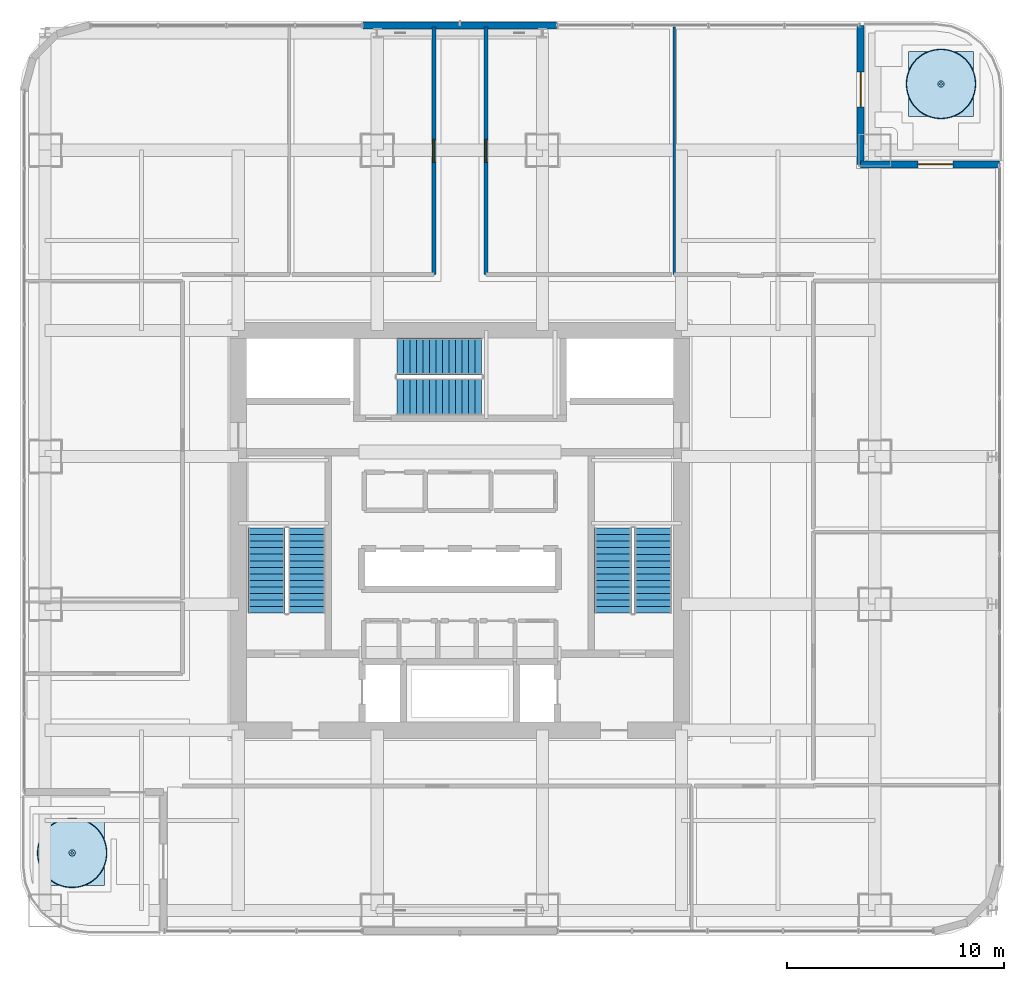
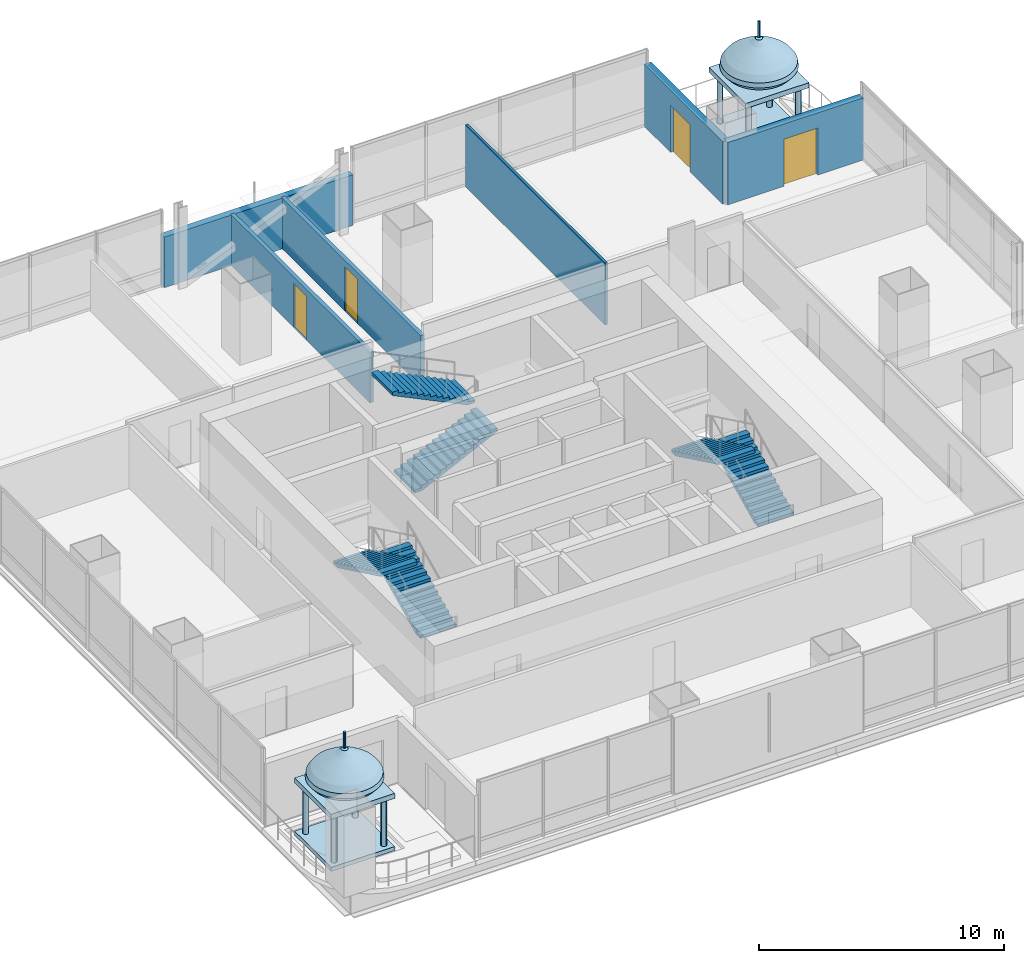
# One storey, part 28 of 37: 6 stair flights, 6 walls, 4 doors, 2 roofs, 4 openings, 3 elements without a shape of their own.
"""IFC4 building model written with IfcOpenShell, lengths in metres."""

from ifc_helpers import new_model, entity, si_unit, direction, frame, frame_2d, origin, origin_2d, place, context, subcontext, project, spatial, polyline, rectangle, circle, outline, extrude, material, layer, layer_set, type_object, element, fill, aggregate, save


model = new_model("IFC4")

# Units and contexts
model_context = context("Model", 3, precision=1e-05, world=origin(), true_north=direction((0.0, 1.0)))
body_context = subcontext(model_context, "Body", "Model", "MODEL_VIEW")
ifc_project = project(units=[si_unit("LENGTHUNIT", "METRE"), si_unit("AREAUNIT", "SQUARE_METRE"), si_unit("VOLUMEUNIT", "CUBIC_METRE"), si_unit("PLANEANGLEUNIT", "RADIAN"), si_unit("MASSUNIT", "GRAM", prefix="KILO")], contexts=[model_context])

# Site, building, storey
site_placement = place(None, origin())
site = spatial("IfcSite", under=ifc_project, at=site_placement, CompositionType="ELEMENT")
building_placement = place(site_placement, origin())
building = spatial("IfcBuilding", under=site, at=building_placement, Name="Punatoya Terracotta Tower", CompositionType="ELEMENT")
storey_placement = place(building_placement, frame((0.0, 0.0, 109.199951171875)))
storey = spatial("IfcBuildingStorey", under=building, at=storey_placement, Name="L25", CompositionType="ELEMENT", Elevation=109.199951171875)

# Wall, opening, door
ifc_material_1 = material(Name="Gypsum Fireboard + Steel Stud", Category="steel")
ifc_layer_1 = layer(ifc_material_1, 0.179931640625)
ifc_layer_set_1 = layer_set([ifc_layer_1], Name="Gypsum Fireboard + Steel Stud")
wall_type_1 = type_object("IfcWallType", Name="WL-CORR-180", PredefinedType="PARTITIONING", material=ifc_layer_set_1)
wall_1_placement = place(storey_placement, frame((-1.199951171875, 23.169921875, 0.0), z_axis=(0.0, 0.0, 1.0), x_axis=(0.0, -1.0, 0.0)))
wall_1 = element("IfcWall", 1, at=wall_1_placement, inside=storey, type_object=wall_type_1, Name="L25 Open-Plan Quantitative Practice Office Partition 41", PredefinedType="PARTITIONING", context=body_context, shape_type="SweptSolid", body=[
    extrude(rectangle(XDim=11.39990234375, YDim=0.179931640625, at=frame_2d((5.699951171875, 0.0))), origin(), (0.0, 0.0, 1.0), 2.524169921875),
])
opening_1_placement = place(wall_1_placement, frame((5.175048828125, 0.0, 0.0)))
opening_1 = element("IfcOpeningElement", 2, at=opening_1_placement, cuts=wall_1, Name="Opening OD-01", PredefinedType="OPENING", context=body_context, shape_type="SweptSolid", body=[
    extrude(rectangle(XDim=1.050048828125, YDim=2.199951171875, at=frame_2d((0.52490234375, 1.10009765625))), frame((0.0, 0.099853515625, 0.0), z_axis=(0.0, -1.0, 0.0), x_axis=(1.0, 0.0, 0.0)), (0.0, 0.0, 1.0), 0.199951171875),
])
ifc_material_2 = material(Name="Bengal Teak Solid-Core Leaf")
door_type_1 = type_object("IfcDoorType", Name="DR-OFF-1050", OperationType="NOTDEFINED", PredefinedType="DOOR", material=ifc_material_2)
door_1_placement = place(opening_1_placement, origin())
door_1 = element("IfcDoor", 3, at=door_1_placement, inside=storey, type_object=door_type_1, Name="L25 Open-Plan Quantitative Practice Office Door", OperationType="SINGLE_SWING_RIGHT", OverallHeight=2.199951171875, OverallWidth=1.050048828125, PredefinedType="DOOR", context=body_context, shape_type="SweptSolid", body=[
    extrude(rectangle(XDim=1.050048828125, YDim=2.199951171875, at=frame_2d((0.52490234375, 1.10009765625))), frame((0.0, 0.02490234375, 0.0), z_axis=(0.0, -1.0, 0.0), x_axis=(1.0, 0.0, 0.0)), (0.0, 0.0, 1.0), 0.050048828125),
])
fill(opening_1, door_1)

wall_2_placement = place(storey_placement, frame((1.199951171875, 11.77001953125, 0.0), z_axis=(0.0, 0.0, 1.0), x_axis=(0.0, 1.0, 0.0)))
wall_2 = element("IfcWall", 4, at=wall_2_placement, inside=storey, type_object=wall_type_1, Name="L25 Open-Plan Regional Operations Office Partition 43", PredefinedType="PARTITIONING", context=body_context, shape_type="SweptSolid", body=[
    extrude(rectangle(XDim=11.39990234375, YDim=0.179931640625, at=frame_2d((5.699951171875, 0.0))), origin(), (0.0, 0.0, 1.0), 2.524169921875),
])
opening_2_placement = place(wall_2_placement, frame((5.175048828125, 0.0, 0.0)))
opening_2 = element("IfcOpeningElement", 5, at=opening_2_placement, cuts=wall_2, Name="Opening OD-01", PredefinedType="OPENING", context=body_context, shape_type="SweptSolid", body=[
    extrude(rectangle(XDim=1.050048828125, YDim=2.199951171875, at=frame_2d((0.52490234375, 1.10009765625))), frame((0.0, 0.099853515625, 0.0), z_axis=(0.0, -1.0, 0.0), x_axis=(1.0, 0.0, 0.0)), (0.0, 0.0, 1.0), 0.199951171875),
])
door_2_placement = place(opening_2_placement, origin())
door_2 = element("IfcDoor", 6, at=door_2_placement, inside=storey, type_object=door_type_1, Name="L25 Open-Plan Regional Operations Office Door", OperationType="SINGLE_SWING_LEFT", OverallHeight=2.199951171875, OverallWidth=1.050048828125, PredefinedType="DOOR", context=body_context, shape_type="SweptSolid", body=[
    extrude(rectangle(XDim=1.050048828125, YDim=2.199951171875, at=frame_2d((0.52490234375, 1.10009765625))), frame((0.0, 0.02490234375, 0.0), z_axis=(0.0, -1.0, 0.0), x_axis=(1.0, 0.0, 0.0)), (0.0, 0.0, 1.0), 0.050048828125),
])
fill(opening_2, door_2)

ifc_material_3 = material(Name="Precast concrete C40/50", Category="concrete")
ifc_layer_2 = layer(ifc_material_3, 0.320068359375)
ifc_layer_set_2 = layer_set([ifc_layer_2], Name="Precast concrete C40/50")
wall_type_2 = type_object("IfcWallType", Name="WL-EXT-320", PredefinedType="SOLIDWALL", material=ifc_layer_set_2)
wall_3_placement = place(storey_placement, frame((24.85009765625, 16.85009765625, 0.0), z_axis=(0.0, 0.0, 1.0), x_axis=(-1.0, 0.0, 0.0)))
wall_3 = element("IfcWall", 7, at=wall_3_placement, inside=storey, type_object=wall_type_2, Name="L25 Recessed Corner-Slot Terracotta Wall 06", PredefinedType="SOLIDWALL", context=body_context, shape_type="SweptSolid", body=[
    extrude(rectangle(XDim=6.400146484375, YDim=0.320068359375, at=frame_2d((3.2001953125, 0.0))), origin(), (0.0, 0.0, 1.0), 3.10400390625),
])
opening_3_placement = place(wall_3_placement, frame((2.14990234375, 0.0, 0.0)))
opening_3 = element("IfcOpeningElement", 8, at=opening_3_placement, cuts=wall_3, Name="Opening TD-01", PredefinedType="OPENING", context=body_context, shape_type="SweptSolid", body=[
    extrude(rectangle(XDim=1.60009765625, YDim=2.35009765625, at=frame_2d((0.800048828125, 1.175048828125))), frame((0.0, 0.169921875, 0.0), z_axis=(0.0, -1.0, 0.0), x_axis=(1.0, 0.0, 0.0)), (0.0, 0.0, 1.0), 0.340087890625),
])
ifc_material_4 = material(Name="Aluminium 6063-T6 + Low-E Glass", Category="aluminium")
door_type_2 = type_object("IfcDoorType", Name="DR-TER-1600", OperationType="NOTDEFINED", PredefinedType="DOOR", material=ifc_material_4)
door_3_placement = place(opening_3_placement, origin())
door_3 = element("IfcDoor", 9, at=door_3_placement, inside=storey, type_object=door_type_2, Name="L25 Corner Sky-Court Terrace Access Door 06", OperationType="SINGLE_SWING_RIGHT", OverallHeight=2.35009765625, OverallWidth=1.60009765625, PredefinedType="DOOR", context=body_context, shape_type="SweptSolid", body=[
    extrude(rectangle(XDim=1.60009765625, YDim=2.35009765625, at=frame_2d((0.800048828125, 1.175048828125))), frame((0.0, 0.02490234375, 0.0), z_axis=(0.0, -1.0, 0.0), x_axis=(1.0, 0.0, 0.0)), (0.0, 0.0, 1.0), 0.050048828125),
])
fill(opening_3, door_3)

wall_4_placement = place(storey_placement, frame((18.449951171875, 16.85009765625, 0.0), z_axis=(0.0, 0.0, 1.0), x_axis=(0.0, 1.0, 0.0)))
wall_4 = element("IfcWall", 10, at=wall_4_placement, inside=storey, type_object=wall_type_2, Name="L25 Recessed Corner-Slot Terracotta Wall 07", PredefinedType="SOLIDWALL", context=body_context, shape_type="SweptSolid", body=[
    extrude(rectangle(XDim=6.39990234375, YDim=0.320068359375, at=frame_2d((3.199951171875, 0.0))), origin(), (0.0, 0.0, 1.0), 3.10400390625),
])
opening_4_placement = place(wall_4_placement, frame((2.64990234375, 0.0, 0.0)))
opening_4 = element("IfcOpeningElement", 11, at=opening_4_placement, cuts=wall_4, Name="Opening TD-01", PredefinedType="OPENING", context=body_context, shape_type="SweptSolid", body=[
    extrude(rectangle(XDim=1.60009765625, YDim=2.35009765625, at=frame_2d((0.800048828125, 1.175048828125))), frame((0.0, 0.169921875, 0.0), z_axis=(0.0, -1.0, 0.0), x_axis=(1.0, 0.0, 0.0)), (0.0, 0.0, 1.0), 0.340087890625),
])
door_4_placement = place(opening_4_placement, origin())
door_4 = element("IfcDoor", 12, at=door_4_placement, inside=storey, type_object=door_type_2, Name="L25 Corner Sky-Court Terrace Access Door 07", OperationType="SINGLE_SWING_LEFT", OverallHeight=2.35009765625, OverallWidth=1.60009765625, PredefinedType="DOOR", context=body_context, shape_type="SweptSolid", body=[
    extrude(rectangle(XDim=1.60009765625, YDim=2.35009765625, at=frame_2d((0.800048828125, 1.175048828125))), frame((0.0, 0.02490234375, 0.0), z_axis=(0.0, -1.0, 0.0), x_axis=(1.0, 0.0, 0.0)), (0.0, 0.0, 1.0), 0.050048828125),
])
fill(opening_4, door_4)

# Walls
wall_5_placement = place(storey_placement, frame((4.449951171875, 23.25, 0.0), z_axis=(0.0, 0.0, 1.0), x_axis=(-1.0, 0.0, 0.0)))
element("IfcWall", 13, at=wall_5_placement, inside=storey, type_object=wall_type_2, Name="L25 Terracotta Braced Facade Wall N1", PredefinedType="SOLIDWALL", context=body_context, shape_type="SweptSolid", body=[
    extrude(rectangle(XDim=8.89990234375, YDim=0.320068359375, at=frame_2d((4.449951171875, 0.0))), origin(), (0.0, 0.0, 1.0), 2.524169921875),
])
ifc_material_5 = material(Name="Gypsum Partition + Steel Stud", Category="steel")
ifc_layer_3 = layer(ifc_material_5, 0.1201171875)
ifc_layer_set_3 = layer_set([ifc_layer_3], Name="Gypsum Partition + Steel Stud")
wall_type_3 = type_object("IfcWallType", Name="WL-OFF-120", PredefinedType="PARTITIONING", material=ifc_layer_set_3)
wall_6_placement = place(storey_placement, frame((9.867919921875, 11.77001953125, 0.0), z_axis=(0.0, 0.0, 1.0), x_axis=(0.0, 1.0, 0.0)))
element("IfcWall", 14, at=wall_6_placement, inside=storey, type_object=wall_type_3, Name="L25 Wellness Quiet Room Partition 38", PredefinedType="PARTITIONING", context=body_context, shape_type="SweptSolid", body=[
    extrude(rectangle(XDim=11.39990234375, YDim=0.1201171875, at=frame_2d((5.699951171875, 0.0))), origin(), (0.0, 0.0, 1.0), 3.10400390625),
])

# Stair, stair flights
ifc_material_6 = material(Name="Concrete C40/50", Category="concrete")
stair_type_1 = type_object("IfcStairType", Name="STR-CORE-1550", PredefinedType="HALF_TURN_STAIR", material=ifc_material_6)
stair_1_placement = place(storey_placement, origin())
stair_1 = element("IfcStair", 15, at=stair_1_placement, inside=storey, type_object=stair_type_1, Name="L25 Protected Core Exit Stair ST-1", PredefinedType="HALF_TURN_STAIR")
stair_flight_type_1 = type_object("IfcStairFlightType", Name="SFL-CORE-1550", PredefinedType="STRAIGHT", material=ifc_material_6)
stair_flight_1_placement = place(storey_placement, frame((-7.050048828125, -3.800048828125, 0.0), z_axis=(0.0, 0.0, 1.0), x_axis=(0.0, 1.0, 0.0)))
stair_flight_1 = element("IfcStairFlight", 16, at=stair_flight_1_placement, type_object=stair_flight_type_1, Name="ST-1 flight 1", NumberOfRisers=14, NumberOfTreads=13, PredefinedType="STRAIGHT", RiserHeight=0.144642857, TreadLength=0.3, context=body_context, shape_type="SweptSolid", body=[
    extrude(outline(polyline([(0.0, 0.0), (0.0, 0.14453125), (0.300048828125, 0.14453125), (0.300048828125, 0.289306640625), (0.60009765625, 0.289306640625), (0.60009765625, 0.433837890625), (0.89990234375, 0.433837890625), (0.89990234375, 0.57861328125), (1.199951171875, 0.57861328125), (1.199951171875, 0.72314453125), (1.5, 0.72314453125), (1.5, 0.867919921875), (1.800048828125, 0.867919921875), (1.800048828125, 1.012451171875), (2.10009765625, 1.012451171875), (2.10009765625, 1.1572265625), (2.39990234375, 1.1572265625), (2.39990234375, 1.3017578125), (2.699951171875, 1.3017578125), (2.699951171875, 1.446533203125), (3.0, 1.446533203125), (3.0, 1.591064453125), (3.300048828125, 1.591064453125), (3.300048828125, 1.735595703125), (3.60009765625, 1.735595703125), (3.60009765625, 1.88037109375), (3.89990234375, 1.88037109375), (3.89990234375, 2.02490234375), (3.89990234375, 1.7138671875), (0.34521484375, 0.0), (0.0, 0.0)])), frame((0.0, 0.85009765625, 0.0), z_axis=(0.0, -1.0, 0.0), x_axis=(1.0, 0.0, 0.0)), (0.0, 0.0, 1.0), 1.699951171875),
])
stair_flight_2_placement = place(storey_placement, frame((-8.89990234375, 0.10009765625, 2.025146484375), z_axis=(0.0, 0.0, 1.0), x_axis=(0.0, -1.0, 0.0)))
stair_flight_2 = element("IfcStairFlight", 17, at=stair_flight_2_placement, type_object=stair_flight_type_1, Name="ST-1 flight 2", NumberOfRisers=14, NumberOfTreads=13, PredefinedType="STRAIGHT", RiserHeight=0.144642857, TreadLength=0.3, context=body_context, shape_type="SweptSolid", body=[
    extrude(outline(polyline([(0.0, 0.0), (0.0, 0.14453125), (0.300048828125, 0.14453125), (0.300048828125, 0.289306640625), (0.60009765625, 0.289306640625), (0.60009765625, 0.433837890625), (0.89990234375, 0.433837890625), (0.89990234375, 0.57861328125), (1.199951171875, 0.57861328125), (1.199951171875, 0.72314453125), (1.5, 0.72314453125), (1.5, 0.867919921875), (1.800048828125, 0.867919921875), (1.800048828125, 1.012451171875), (2.10009765625, 1.012451171875), (2.10009765625, 1.1572265625), (2.39990234375, 1.1572265625), (2.39990234375, 1.3017578125), (2.699951171875, 1.3017578125), (2.699951171875, 1.446533203125), (3.0, 1.446533203125), (3.0, 1.591064453125), (3.300048828125, 1.591064453125), (3.300048828125, 1.735595703125), (3.60009765625, 1.735595703125), (3.60009765625, 1.88037109375), (3.89990234375, 1.88037109375), (3.89990234375, 2.02490234375), (3.89990234375, 1.7138671875), (0.34521484375, 0.0), (0.0, 0.0)])), frame((0.0, 0.85009765625, 0.0), z_axis=(0.0, -1.0, 0.0), x_axis=(1.0, 0.0, 0.0)), (0.0, 0.0, 1.0), 1.699951171875),
])
aggregate(stair_1, [stair_flight_1, stair_flight_2])

stair_type_2 = type_object("IfcStairType", Name="STR-LOB-1650", PredefinedType="HALF_TURN_STAIR", material=ifc_material_6)
stair_2_placement = place(storey_placement, origin())
stair_2 = element("IfcStair", 18, at=stair_2_placement, inside=storey, type_object=stair_type_2, Name="L25 Protected Core Exit Stair ST-2", PredefinedType="HALF_TURN_STAIR")
stair_flight_type_2 = type_object("IfcStairFlightType", Name="SFL-LOB-1650", PredefinedType="STRAIGHT", material=ifc_material_6)
stair_flight_3_placement = place(storey_placement, frame((8.89990234375, -3.800048828125, 0.0), z_axis=(0.0, 0.0, 1.0), x_axis=(0.0, 1.0, 0.0)))
stair_flight_3 = element("IfcStairFlight", 19, at=stair_flight_3_placement, type_object=stair_flight_type_2, Name="ST-2 flight 1", NumberOfRisers=14, NumberOfTreads=13, PredefinedType="STRAIGHT", RiserHeight=0.144642857, TreadLength=0.3, context=body_context, shape_type="SweptSolid", body=[
    extrude(outline(polyline([(0.0, 0.0), (0.0, 0.14453125), (0.300048828125, 0.14453125), (0.300048828125, 0.289306640625), (0.60009765625, 0.289306640625), (0.60009765625, 0.433837890625), (0.89990234375, 0.433837890625), (0.89990234375, 0.57861328125), (1.199951171875, 0.57861328125), (1.199951171875, 0.72314453125), (1.5, 0.72314453125), (1.5, 0.867919921875), (1.800048828125, 0.867919921875), (1.800048828125, 1.012451171875), (2.10009765625, 1.012451171875), (2.10009765625, 1.1572265625), (2.39990234375, 1.1572265625), (2.39990234375, 1.3017578125), (2.699951171875, 1.3017578125), (2.699951171875, 1.446533203125), (3.0, 1.446533203125), (3.0, 1.591064453125), (3.300048828125, 1.591064453125), (3.300048828125, 1.735595703125), (3.60009765625, 1.735595703125), (3.60009765625, 1.88037109375), (3.89990234375, 1.88037109375), (3.89990234375, 2.02490234375), (3.89990234375, 1.7138671875), (0.34521484375, 0.0), (0.0, 0.0)])), frame((0.0, 0.85009765625, 0.0), z_axis=(0.0, -1.0, 0.0), x_axis=(1.0, 0.0, 0.0)), (0.0, 0.0, 1.0), 1.699951171875),
])
stair_flight_4_placement = place(storey_placement, frame((7.050048828125, 0.10009765625, 2.025146484375), z_axis=(0.0, 0.0, 1.0), x_axis=(0.0, -1.0, 0.0)))
stair_flight_4 = element("IfcStairFlight", 20, at=stair_flight_4_placement, type_object=stair_flight_type_2, Name="ST-2 flight 2", NumberOfRisers=14, NumberOfTreads=13, PredefinedType="STRAIGHT", RiserHeight=0.144642857, TreadLength=0.3, context=body_context, shape_type="SweptSolid", body=[
    extrude(outline(polyline([(0.0, 0.0), (0.0, 0.14453125), (0.300048828125, 0.14453125), (0.300048828125, 0.289306640625), (0.60009765625, 0.289306640625), (0.60009765625, 0.433837890625), (0.89990234375, 0.433837890625), (0.89990234375, 0.57861328125), (1.199951171875, 0.57861328125), (1.199951171875, 0.72314453125), (1.5, 0.72314453125), (1.5, 0.867919921875), (1.800048828125, 0.867919921875), (1.800048828125, 1.012451171875), (2.10009765625, 1.012451171875), (2.10009765625, 1.1572265625), (2.39990234375, 1.1572265625), (2.39990234375, 1.3017578125), (2.699951171875, 1.3017578125), (2.699951171875, 1.446533203125), (3.0, 1.446533203125), (3.0, 1.591064453125), (3.300048828125, 1.591064453125), (3.300048828125, 1.735595703125), (3.60009765625, 1.735595703125), (3.60009765625, 1.88037109375), (3.89990234375, 1.88037109375), (3.89990234375, 2.02490234375), (3.89990234375, 1.7138671875), (0.34521484375, 0.0), (0.0, 0.0)])), frame((0.0, 0.85009765625, 0.0), z_axis=(0.0, -1.0, 0.0), x_axis=(1.0, 0.0, 0.0)), (0.0, 0.0, 1.0), 1.699951171875),
])
aggregate(stair_2, [stair_flight_3, stair_flight_4])

stair_type_3 = type_object("IfcStairType", Name="STR-TER-1450", PredefinedType="HALF_TURN_STAIR", material=ifc_material_6)
stair_3_placement = place(storey_placement, origin())
stair_3 = element("IfcStair", 21, at=stair_3_placement, inside=storey, type_object=stair_type_3, Name="L25 Protected Core Exit Stair ST-3", PredefinedType="HALF_TURN_STAIR")
stair_flight_type_3 = type_object("IfcStairFlightType", Name="SFL-TER-1450", PredefinedType="STRAIGHT", material=ifc_material_6)
stair_flight_5_placement = place(storey_placement, frame((-2.89990234375, 6.14990234375, 0.0), z_axis=(0.0, 0.0, 1.0), x_axis=(1.0, 0.0, 0.0)))
stair_flight_5 = element("IfcStairFlight", 22, at=stair_flight_5_placement, type_object=stair_flight_type_3, Name="ST-3 flight 1", NumberOfRisers=14, NumberOfTreads=13, PredefinedType="STRAIGHT", RiserHeight=0.144642857, TreadLength=0.3, context=body_context, shape_type="SweptSolid", body=[
    extrude(outline(polyline([(0.0, 0.0), (0.0, 0.14453125), (0.300048828125, 0.14453125), (0.300048828125, 0.289306640625), (0.60009765625, 0.289306640625), (0.60009765625, 0.433837890625), (0.89990234375, 0.433837890625), (0.89990234375, 0.57861328125), (1.199951171875, 0.57861328125), (1.199951171875, 0.72314453125), (1.5, 0.72314453125), (1.5, 0.867919921875), (1.800048828125, 0.867919921875), (1.800048828125, 1.012451171875), (2.10009765625, 1.012451171875), (2.10009765625, 1.1572265625), (2.39990234375, 1.1572265625), (2.39990234375, 1.3017578125), (2.699951171875, 1.3017578125), (2.699951171875, 1.446533203125), (3.0, 1.446533203125), (3.0, 1.591064453125), (3.300048828125, 1.591064453125), (3.300048828125, 1.735595703125), (3.60009765625, 1.735595703125), (3.60009765625, 1.88037109375), (3.89990234375, 1.88037109375), (3.89990234375, 2.02490234375), (3.89990234375, 1.7138671875), (0.34521484375, 0.0), (0.0, 0.0)])), frame((0.0, 0.85009765625, 0.0), z_axis=(0.0, -1.0, 0.0), x_axis=(1.0, 0.0, 0.0)), (0.0, 0.0, 1.0), 1.699951171875),
])
stair_flight_6_placement = place(storey_placement, frame((1.0, 8.0, 2.025146484375), z_axis=(0.0, 0.0, 1.0), x_axis=(-1.0, 0.0, 0.0)))
stair_flight_6 = element("IfcStairFlight", 23, at=stair_flight_6_placement, type_object=stair_flight_type_3, Name="ST-3 flight 2", NumberOfRisers=14, NumberOfTreads=13, PredefinedType="STRAIGHT", RiserHeight=0.144642857, TreadLength=0.3, context=body_context, shape_type="SweptSolid", body=[
    extrude(outline(polyline([(0.0, 0.0), (0.0, 0.14453125), (0.300048828125, 0.14453125), (0.300048828125, 0.289306640625), (0.60009765625, 0.289306640625), (0.60009765625, 0.433837890625), (0.89990234375, 0.433837890625), (0.89990234375, 0.57861328125), (1.199951171875, 0.57861328125), (1.199951171875, 0.72314453125), (1.5, 0.72314453125), (1.5, 0.867919921875), (1.800048828125, 0.867919921875), (1.800048828125, 1.012451171875), (2.10009765625, 1.012451171875), (2.10009765625, 1.1572265625), (2.39990234375, 1.1572265625), (2.39990234375, 1.3017578125), (2.699951171875, 1.3017578125), (2.699951171875, 1.446533203125), (3.0, 1.446533203125), (3.0, 1.591064453125), (3.300048828125, 1.591064453125), (3.300048828125, 1.735595703125), (3.60009765625, 1.735595703125), (3.60009765625, 1.88037109375), (3.89990234375, 1.88037109375), (3.89990234375, 2.02490234375), (3.89990234375, 1.7138671875), (0.34521484375, 0.0), (0.0, 0.0)])), frame((0.0, 0.85009765625, 0.0), z_axis=(0.0, -1.0, 0.0), x_axis=(1.0, 0.0, 0.0)), (0.0, 0.0, 1.0), 1.699951171875),
])
aggregate(stair_3, [stair_flight_5, stair_flight_6])

# Roofs
ifc_material_7 = material(Name="Architectural Fired Terracotta", Category="masonry")
roof_type = type_object("IfcRoofType", Name="ROF-CHH-2600", PredefinedType="DOME_ROOF", material=ifc_material_7)
roof_1_placement = place(storey_placement, frame((22.14990234375, 20.550048828125, 0.0), z_axis=(0.0, 0.0, 1.0), x_axis=(1.0, 0.0, 0.0)))
cartesian_point_1 = entity("IfcCartesianPoint", [0.0, 0.0])
element("IfcRoof", 24, at=roof_1_placement, inside=storey, type_object=roof_type, Name="L25 Corner Sky-Court Pavilion (Chhatri) CH-10", PredefinedType="DOME_ROOF", context=body_context, shape_type="SweptSolid", body=[
    extrude(rectangle(XDim=3.0, YDim=3.0, at=origin_2d()), origin(), (0.0, 0.0, 1.0), 0.199951171875),
    extrude(circle(Radius=0.1298828125, at=origin_2d()), frame((-1.169921875, -1.169921875, 0.199951171875)), (0.0, 0.0, 1.0), 2.39990234375),
    extrude(circle(Radius=0.1298828125, at=origin_2d()), frame((1.169921875, -1.169921875, 0.199951171875)), (0.0, 0.0, 1.0), 2.39990234375),
    extrude(circle(Radius=0.1298828125, at=origin_2d()), frame((1.169921875, 1.169921875, 0.199951171875)), (0.0, 0.0, 1.0), 2.39990234375),
    extrude(circle(Radius=0.1298828125, at=origin_2d()), frame((-1.169921875, 1.169921875, 0.199951171875)), (0.0, 0.0, 1.0), 2.39990234375),
    extrude(rectangle(XDim=3.0, YDim=3.0, at=origin_2d()), frame((0.0, 0.0, 2.599853515625)), (0.0, 0.0, 1.0), 0.25),
    entity("IfcRevolvedAreaSolid", entity("IfcArbitraryClosedProfileDef", "AREA", None, entity("IfcPolyline", [cartesian_point_1, entity("IfcCartesianPoint", [1.06396484375, 0.0]), entity("IfcCartesianPoint", [1.16064453125, 0.094970703125]), entity("IfcCartesianPoint", [1.418701171875, 0.2470703125]), entity("IfcCartesianPoint", [1.612060546875, 0.47509765625]), entity("IfcCartesianPoint", [1.579833984375, 0.702880859375]), entity("IfcCartesianPoint", [1.386474609375, 0.968994140625]), entity("IfcCartesianPoint", [1.03173828125, 1.23486328125]), entity("IfcCartesianPoint", [0.677001953125, 1.462890625]), entity("IfcCartesianPoint", [0.386962890625, 1.634033203125]), entity("IfcCartesianPoint", [0.2255859375, 1.766845703125]), entity("IfcCartesianPoint", [0.14501953125, 1.843017578125]), entity("IfcCartesianPoint", [0.0, 1.89990234375]), cartesian_point_1])), entity("IfcAxis2Placement3D", entity("IfcCartesianPoint", [0.0, 0.0, 2.849853515625]), entity("IfcDirection", [0.0, -1.0, 0.0]), entity("IfcDirection", [1.0, 0.0, 0.0])), entity("IfcAxis1Placement", entity("IfcCartesianPoint", [0.0, 0.0, 0.0]), entity("IfcDirection", [0.0, 1.0, 0.0])), 6.283185307179586),
    extrude(circle(Radius=0.06005859375, at=origin_2d()), frame((0.0, 0.0, 4.749755859375)), (0.0, 0.0, 1.0), 0.800048828125),
])
roof_2_placement = place(storey_placement, frame((-17.85009765625, -14.85009765625, 0.0), z_axis=(0.0, 0.0, 1.0), x_axis=(1.0, 0.0, 0.0)))
cartesian_point_2 = entity("IfcCartesianPoint", [0.0, 0.0])
element("IfcRoof", 25, at=roof_2_placement, inside=storey, type_object=roof_type, Name="L25 Corner Sky-Court Pavilion (Chhatri) CH-11", PredefinedType="DOME_ROOF", context=body_context, shape_type="SweptSolid", body=[
    extrude(rectangle(XDim=3.0, YDim=3.0, at=origin_2d()), origin(), (0.0, 0.0, 1.0), 0.199951171875),
    extrude(circle(Radius=0.1298828125, at=origin_2d()), frame((-1.169921875, -1.169921875, 0.199951171875)), (0.0, 0.0, 1.0), 2.39990234375),
    extrude(circle(Radius=0.1298828125, at=origin_2d()), frame((1.169921875, -1.169921875, 0.199951171875)), (0.0, 0.0, 1.0), 2.39990234375),
    extrude(circle(Radius=0.1298828125, at=origin_2d()), frame((1.169921875, 1.169921875, 0.199951171875)), (0.0, 0.0, 1.0), 2.39990234375),
    extrude(circle(Radius=0.1298828125, at=origin_2d()), frame((-1.169921875, 1.169921875, 0.199951171875)), (0.0, 0.0, 1.0), 2.39990234375),
    extrude(rectangle(XDim=3.0, YDim=3.0, at=origin_2d()), frame((0.0, 0.0, 2.599853515625)), (0.0, 0.0, 1.0), 0.25),
    entity("IfcRevolvedAreaSolid", entity("IfcArbitraryClosedProfileDef", "AREA", None, entity("IfcPolyline", [cartesian_point_2, entity("IfcCartesianPoint", [1.06396484375, 0.0]), entity("IfcCartesianPoint", [1.16064453125, 0.094970703125]), entity("IfcCartesianPoint", [1.418701171875, 0.2470703125]), entity("IfcCartesianPoint", [1.612060546875, 0.47509765625]), entity("IfcCartesianPoint", [1.579833984375, 0.702880859375]), entity("IfcCartesianPoint", [1.386474609375, 0.968994140625]), entity("IfcCartesianPoint", [1.03173828125, 1.23486328125]), entity("IfcCartesianPoint", [0.677001953125, 1.462890625]), entity("IfcCartesianPoint", [0.386962890625, 1.634033203125]), entity("IfcCartesianPoint", [0.2255859375, 1.766845703125]), entity("IfcCartesianPoint", [0.14501953125, 1.843017578125]), entity("IfcCartesianPoint", [0.0, 1.89990234375]), cartesian_point_2])), entity("IfcAxis2Placement3D", entity("IfcCartesianPoint", [0.0, 0.0, 2.849853515625]), entity("IfcDirection", [0.0, -1.0, 0.0]), entity("IfcDirection", [1.0, 0.0, 0.0])), entity("IfcAxis1Placement", entity("IfcCartesianPoint", [0.0, 0.0, 0.0]), entity("IfcDirection", [0.0, 1.0, 0.0])), 6.283185307179586),
    extrude(circle(Radius=0.06005859375, at=origin_2d()), frame((0.0, 0.0, 4.749755859375)), (0.0, 0.0, 1.0), 0.800048828125),
])

save(model, "model.ifc")
